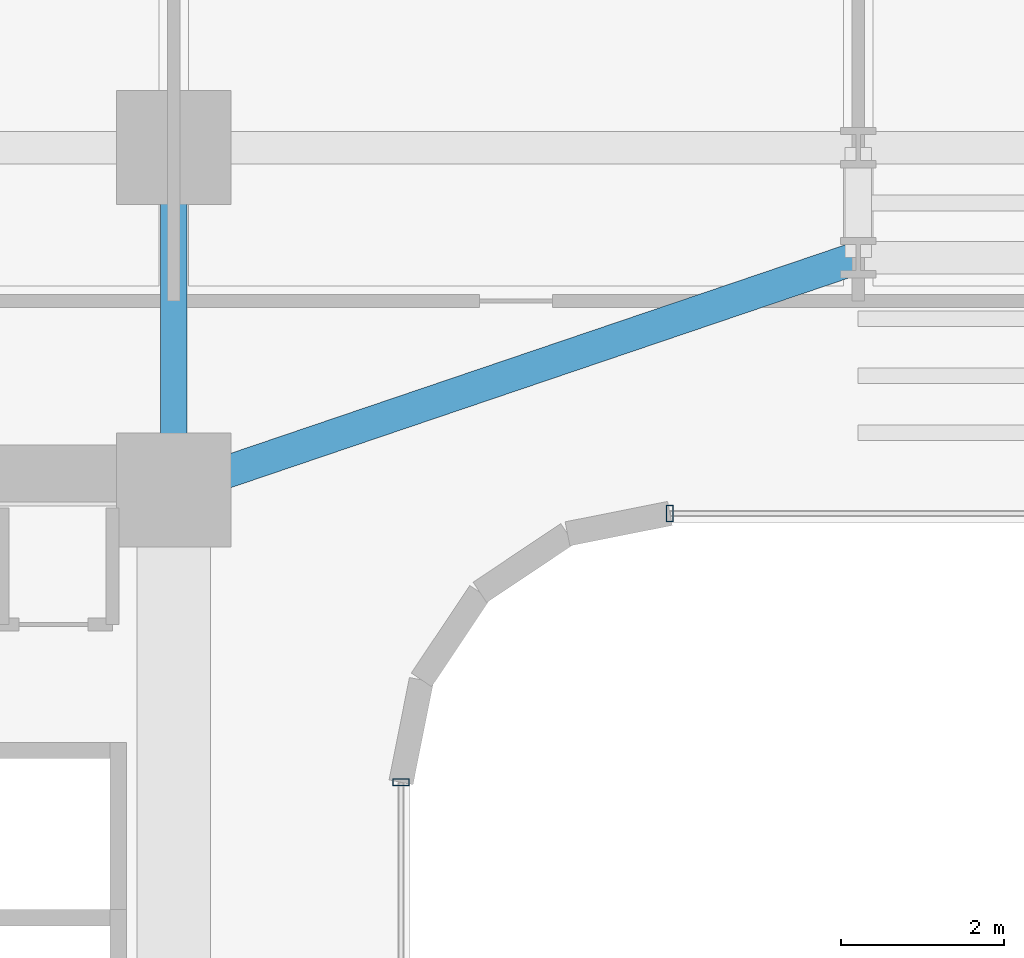
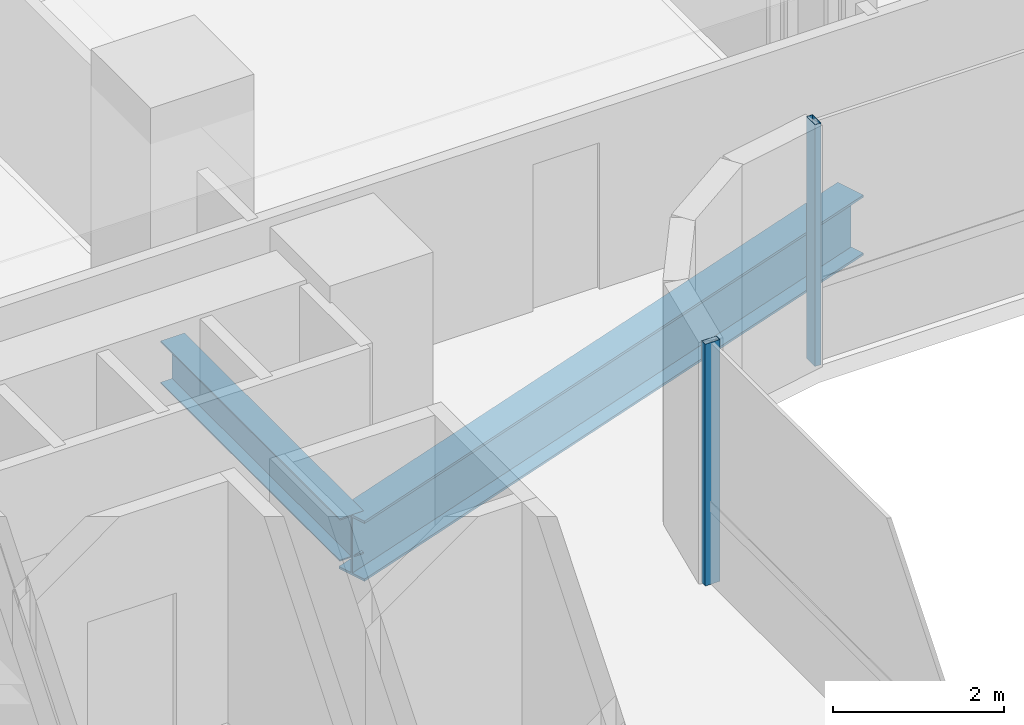
# One storey, part 12 of 39: 2 beams, 2 members, 2 elements without a shape of their own.
"""IFC4 building model written with IfcOpenShell, lengths in metres."""

import ifcopenshell
import ifcopenshell.guid

model = None  # the IFC model being written
_history = None  # IfcOwnerHistory: only IFC2X3 demands one
_inside = {}  # id of a spatial element -> (the spatial element, [elements in it])
_under = {}  # id of a project, library or spatial element -> (it, [spatial elements below it])
_declared = {}  # id of a project -> (the project, [libraries it declares])
_typed = {}  # id of a type object -> (the type object, [elements of that type])
_made_of = {}  # id of a material, layer set ... -> (it, [elements and type objects made of it])


def new_model(schema):
    """Start an empty IFC model of exactly this schema.

    Asked for "IFC4X3", IfcOpenShell would pick the latest addendum, in which some entities
    have other attributes; the version numbers below select the first issue.
    IFC2X3 requires an IfcOwnerHistory on every rooted entity: one is made here for all.
    """
    global model, _history
    if schema == "IFC4X3":
        model = ifcopenshell.file(schema_version=(4, 3, 0, 0))
    else:
        model = ifcopenshell.file(schema=schema)
    _inside.clear()
    _under.clear()
    _declared.clear()
    _typed.clear()
    _made_of.clear()
    _history = None
    if model.schema == "IFC2X3":
        org = make("IfcOrganization", Name="unknown")
        user = make(
            "IfcPersonAndOrganization",
            ThePerson=make("IfcPerson", FamilyName="unknown"),
            TheOrganization=org,
        )
        app = make(
            "IfcApplication",
            ApplicationDeveloper=org,
            Version="unknown",
            ApplicationFullName="unknown",
            ApplicationIdentifier="unknown",
        )
        _history = make(
            "IfcOwnerHistory",
            OwningUser=user,
            OwningApplication=app,
            ChangeAction="ADDED",
            CreationDate=0,
        )
    return model


def make(cls, **values):
    """One entity of the class cls with the attributes given. An attribute that is None is left unset."""
    return model.create_entity(
        cls, **{name: value for name, value in values.items() if value is not None}
    )


def rooted(cls, **values):
    """An entity with a GlobalId (a new one), such as an element, a storey or a relation."""
    return make(cls, GlobalId=ifcopenshell.guid.new(), OwnerHistory=_history, **values)


def si_unit(unit_type, name, prefix=None):
    """IfcSIUnit, for example si_unit("LENGTHUNIT", "METRE", prefix="MILLI")."""
    return make("IfcSIUnit", UnitType=unit_type, Prefix=prefix, Name=name)


def assignment(units):
    """IfcUnitAssignment: the units of a project."""
    return None if units is None else make("IfcUnitAssignment", Units=units)


def point(xyz):
    """IfcCartesianPoint."""
    return None if xyz is None else make("IfcCartesianPoint", Coordinates=xyz)


def direction(xyz):
    """IfcDirection."""
    return None if xyz is None else make("IfcDirection", DirectionRatios=xyz)


def frame(location, z_axis=None, x_axis=None):
    """IfcAxis2Placement3D, a coordinate frame: its origin and axes. An axis left out is left unset."""
    return make(
        "IfcAxis2Placement3D",
        Location=point(location),
        Axis=direction(z_axis),
        RefDirection=direction(x_axis),
    )


def frame_2d(location, x_axis=None):
    """IfcAxis2Placement2D, a coordinate frame in the plane: its origin and x axis."""
    return make(
        "IfcAxis2Placement2D", Location=point(location), RefDirection=direction(x_axis)
    )


def origin():
    """The frame at (0, 0, 0) with its axes left unset."""
    return frame((0.0, 0.0, 0.0))


def origin_2d():
    """The frame at (0, 0) in the plane with its x axis left unset."""
    return frame_2d((0.0, 0.0))


def place(relative_to, where):
    """IfcLocalPlacement: puts the frame where relative to a parent placement (None: the world)."""
    return make(
        "IfcLocalPlacement", PlacementRelTo=relative_to, RelativePlacement=where
    )


def context(
    kind, dimensions, precision=None, world=None, true_north=None, identifier=None
):
    """IfcGeometricRepresentationContext, for example the 3D "Model" context."""
    return make(
        "IfcGeometricRepresentationContext",
        ContextIdentifier=identifier,
        ContextType=kind,
        CoordinateSpaceDimension=dimensions,
        Precision=precision,
        WorldCoordinateSystem=world,
        TrueNorth=true_north,
    )


def subcontext(parent, identifier, kind, view, scale=None):
    """IfcGeometricRepresentationSubContext, for example "Body" below "Model"."""
    return make(
        "IfcGeometricRepresentationSubContext",
        ContextIdentifier=identifier,
        ContextType=kind,
        ParentContext=parent,
        TargetScale=scale,
        TargetView=view,
    )


def project(units=None, contexts=None):
    """IfcProject with its units and contexts."""
    return rooted(
        "IfcProject",
        Name="project",
        RepresentationContexts=contexts,
        UnitsInContext=assignment(units),
    )


def spatial(cls, under=None, at=None, **own):
    """A site, building, storey or space (cls), placed at a placement, below another one or the project."""
    s = rooted(cls, ObjectPlacement=at, **own)
    if under is not None:
        _under.setdefault(under.id(), (under, []))[1].append(s)
    return s


def profile(cls, at=None, kind="AREA", **sizes):
    """A parametric profile (cls). Its sizes go by their IFC names, for example OverallWidth=200.0."""
    return make(cls, ProfileType=kind, Position=at, **sizes)


def hollow_rectangle(**sizes):
    """IfcRectangleHollowProfileDef."""
    return profile("IfcRectangleHollowProfileDef", **sizes)


def i_section(**sizes):
    """IfcIShapeProfileDef."""
    return profile("IfcIShapeProfileDef", **sizes)


def extrude(swept, where, along, depth):
    """IfcExtrudedAreaSolid: the profile swept, set in the frame where, extruded along a direction by depth."""
    return make(
        "IfcExtrudedAreaSolid",
        SweptArea=swept,
        Position=where,
        ExtrudedDirection=direction(along),
        Depth=depth,
    )


def shape(context_of_items, identifier, shape_type, items):
    """IfcShapeRepresentation: the items that make up one representation, for example the "Body"."""
    return make(
        "IfcShapeRepresentation",
        ContextOfItems=context_of_items,
        RepresentationIdentifier=identifier,
        RepresentationType=shape_type,
        Items=items,
    )


def source(mapping_origin, context_of_items, identifier, shape_type, items):
    """IfcRepresentationMap: a shape defined once, which mapped items show again and again."""
    return make(
        "IfcRepresentationMap",
        MappingOrigin=mapping_origin,
        MappedRepresentation=shape(context_of_items, identifier, shape_type, items),
    )


def transform(
    local_origin,
    x_axis=None,
    y_axis=None,
    z_axis=None,
    scale=None,
    scale2=None,
    scale3=None,
    uniform=True,
):
    """IfcCartesianTransformationOperator3D, or its non-uniform kind. x_axis, y_axis, z_axis: its Axis1, 2, 3."""
    if uniform:
        return make(
            "IfcCartesianTransformationOperator3D",
            Axis1=direction(x_axis),
            Axis2=direction(y_axis),
            LocalOrigin=point(local_origin),
            Scale=scale,
            Axis3=direction(z_axis),
        )
    return make(
        "IfcCartesianTransformationOperator3DnonUniform",
        Axis1=direction(x_axis),
        Axis2=direction(y_axis),
        LocalOrigin=point(local_origin),
        Scale=scale,
        Axis3=direction(z_axis),
        Scale2=scale2,
        Scale3=scale3,
    )


def mapped(mapping_source, mapping_target):
    """IfcMappedItem: shows the shape of a source again, moved by a transform."""
    return make(
        "IfcMappedItem", MappingSource=mapping_source, MappingTarget=mapping_target
    )


def material(Name=None, Category=None):
    """IfcMaterial."""
    return make("IfcMaterial", Name=Name, Category=Category)


def material_profile(
    of_material, cross_section, Name=None, Category=None, Priority=None
):
    """IfcMaterialProfile: a cross section and its material."""
    return make(
        "IfcMaterialProfile",
        Name=Name,
        Material=of_material,
        Profile=cross_section,
        Priority=Priority,
        Category=Category,
    )


def profile_set(profiles, Name=None, composite=None):
    """IfcMaterialProfileSet."""
    return make(
        "IfcMaterialProfileSet",
        Name=Name,
        MaterialProfiles=profiles,
        CompositeProfile=composite,
    )


def made_of(thing, what):
    """Note that an element or type object is made of a material, layer set ...; save() writes the relation."""
    if what is not None:
        _made_of.setdefault(what.id(), (what, []))[1].append(thing)
    return thing


def type_object(cls, material=None, **own):
    """A type object (cls), such as IfcWallType, which elements share."""
    return made_of(rooted(cls, **own), material)


def element(
    cls,
    number,
    at=None,
    inside=None,
    cuts=None,
    type_object=None,
    material=None,
    context=None,
    identifier="Body",
    shape_type=None,
    held_by="IfcProductDefinitionShape",
    body=None,
    shapes=None,
    **own,
):
    """One element of the class cls, such as IfcWall. Its Tag is "e" and its number.

    at: its placement. inside: the storey or other place that contains it. cuts: it is an
    opening in that element (IfcRelVoidsElement). A single representation is given by context,
    identifier, shape_type and body (its items); several are given by shapes. held_by: the class
    of the entity that holds the representations. save() writes the other relations.
    """
    e = rooted(cls, Tag="e%d" % number, ObjectPlacement=at, **own)
    if body is not None:
        shapes = [shape(context, identifier, shape_type, body)]
    if shapes is not None:
        e.Representation = make(held_by, Representations=shapes)
    if inside is not None:
        _inside.setdefault(inside.id(), (inside, []))[1].append(e)
    if cuts is not None:
        rooted(
            "IfcRelVoidsElement", RelatingBuildingElement=cuts, RelatedOpeningElement=e
        )
    if type_object is not None:
        _typed.setdefault(type_object.id(), (type_object, []))[1].append(e)
    return made_of(e, material)


def aggregate(whole, parts):
    """IfcRelAggregates: a whole, such as a stair, and the parts it consists of."""
    return rooted("IfcRelAggregates", RelatingObject=whole, RelatedObjects=parts)


def save(model, path):
    """Write the relations noted so far, then the file.

    IfcRelAggregates (storeys below a building ...), IfcRelContainedInSpatialStructure (elements
    in a storey), IfcRelDefinesByType, IfcRelAssociatesMaterial and IfcRelDeclares: one each for
    every whole, place, type object, material and project.
    """
    for whole, parts in _under.values():
        aggregate(whole, parts)
    for where, things in _inside.values():
        rooted(
            "IfcRelContainedInSpatialStructure",
            RelatedElements=things,
            RelatingStructure=where,
        )
    for kind, things in _typed.values():
        rooted("IfcRelDefinesByType", RelatedObjects=things, RelatingType=kind)
    for what, things in _made_of.values():
        rooted("IfcRelAssociatesMaterial", RelatedObjects=things, RelatingMaterial=what)
    for by, libraries in _declared.values():
        rooted("IfcRelDeclares", RelatingContext=by, RelatedDefinitions=libraries)
    model.write(path)


model = new_model("IFC4")

# Units and contexts
model_context = context("Model", 3, precision=1e-05, world=origin(), true_north=direction((0.0, 1.0)))
body_context = subcontext(model_context, "Body", "Model", "MODEL_VIEW")
ifc_project = project(units=[si_unit("LENGTHUNIT", "METRE"), si_unit("AREAUNIT", "SQUARE_METRE"), si_unit("VOLUMEUNIT", "CUBIC_METRE"), si_unit("PLANEANGLEUNIT", "RADIAN"), si_unit("MASSUNIT", "GRAM", prefix="KILO")], contexts=[model_context])

# Site, building, storey
site_placement = place(None, origin())
site = spatial("IfcSite", under=ifc_project, at=site_placement, CompositionType="ELEMENT")
building_placement = place(site_placement, origin())
building = spatial("IfcBuilding", under=site, at=building_placement, Name="Valdorenza Pilgrim Sanctuary Tower", CompositionType="ELEMENT")
storey_placement = place(building_placement, frame((0.0, 0.0, 33.39990234375)))
storey = spatial("IfcBuildingStorey", under=building, at=storey_placement, Name="L07", CompositionType="ELEMENT", Elevation=33.39990234375)

# Beams
ifc_material_1 = material(Name="Steel ASTM A992 Grade 50", Category="steel")
ifc_material_profile_1 = material_profile(ifc_material_1, i_section(OverallWidth=0.323974609375, OverallDepth=0.611083984375, WebThickness=0.0126953125, FlangeThickness=0.01904296875, at=origin_2d()), Name="W24X104")
ifc_profile_set_1 = profile_set([ifc_material_profile_1], Name="Steel ASTM A992 Grade 50")
beam_type_1 = type_object("IfcBeamType", Name="STR-BM-GRD-W24B", PredefinedType="BEAM", material=ifc_profile_set_1)
shared_shape_1 = source(origin(), body_context, "Body", "SweptSolid", [
    extrude(i_section(OverallWidth=0.323974609375, OverallDepth=0.611083984375, WebThickness=0.0126953125, FlangeThickness=0.01904296875, at=origin_2d()), origin(), (0.0, 0.0, 1.0), 4.199951171875),
])
beam_1_placement = place(storey_placement, frame((-12.39990234375, 10.60009765625, -0.54541015625), z_axis=(0.0, 1.0, 0.0), x_axis=(-1.0, 0.0, 0.0)))
element("IfcBeam", 1, at=beam_1_placement, inside=storey, type_object=beam_type_1, Name="L07 Core Tie Girder CA-E-N1N2", PredefinedType="BEAM", context=body_context, shape_type="MappedRepresentation", body=[
    mapped(shared_shape_1, transform((0.0, 0.0, 0.0), x_axis=(1.0, 0.0, 0.0), y_axis=(0.0, 1.0, 0.0), z_axis=(0.0, 0.0, 1.0), scale=1.0)),
])
ifc_material_profile_2 = material_profile(ifc_material_1, i_section(OverallWidth=0.39990234375, OverallDepth=0.862060546875, WebThickness=0.019775390625, FlangeThickness=0.032470703125, at=origin_2d()), Name="W33X221")
ifc_profile_set_2 = profile_set([ifc_material_profile_2], Name="Steel ASTM A992 Grade 50")
beam_type_2 = type_object("IfcBeamType", Name="STR-BM-GRD-W33", PredefinedType="BEAM", material=ifc_profile_set_2)
shared_shape_2 = source(origin(), body_context, "Body", "SweptSolid", [
    extrude(i_section(OverallWidth=0.39990234375, OverallDepth=0.862060546875, WebThickness=0.019775390625, FlangeThickness=0.032470703125, at=origin_2d()), origin(), (0.0, 0.0, 1.0), 8.8701171875),
])
beam_2_placement = place(storey_placement, frame((-12.39990234375, 10.60009765625, -0.6708984375), z_axis=(0.946982588361, 0.321284885018, 0.0), x_axis=(-0.321284885018, 0.946982588361, 0.0)))
element("IfcBeam", 2, at=beam_2_placement, inside=storey, type_object=beam_type_2, Name="L07 Floor Girder KNK-G1", PredefinedType="BEAM", context=body_context, shape_type="MappedRepresentation", body=[
    mapped(shared_shape_2, transform((0.0, 0.0, 0.0), x_axis=(1.0, 0.0, 0.0), y_axis=(0.0, 1.0, 0.0), z_axis=(0.0, 0.0, 1.0), scale=1.0)),
])

# Curtain wall, member
ifc_material_2 = material(Name="Curtain-wall IGU glazing", Category="glass")
curtain_wall_type = type_object("IfcCurtainWallType", Name="CW-SYS-02", PredefinedType="NOTDEFINED", material=ifc_material_2)
curtain_wall_1_placement = place(storey_placement, origin())
curtain_wall_1 = element("IfcCurtainWall", 3, at=curtain_wall_1_placement, inside=storey, type_object=curtain_wall_type, Name="L07 Curtain Wall CW-L07-1-36", PredefinedType="NOTDEFINED")
ifc_material_3 = material(Name="Anodised aluminium AW-6060", Category="aluminium")
ifc_material_profile_3 = material_profile(ifc_material_3, hollow_rectangle(XDim=0.0849609375, YDim=0.199951171875, WallThickness=0.0048828125, at=origin_2d()), Name="ALU-M 200x85x5")
ifc_profile_set_3 = profile_set([ifc_material_profile_3], Name="Anodised aluminium AW-6060")
member_type = type_object("IfcMemberType", Name="CW-MUL-02", PredefinedType="MULLION", material=ifc_profile_set_3)
shared_shape_3 = source(origin(), body_context, "Body", "SweptSolid", [
    extrude(hollow_rectangle(XDim=0.0849609375, YDim=0.199951171875, WallThickness=0.0048828125, at=origin_2d()), origin(), (0.0, 0.0, 1.0), 3.460205078125),
])
member_1_placement = place(storey_placement, frame((-6.310791015625, 10.31005859375, 0.0), z_axis=(0.0, 0.0, 1.0), x_axis=(-1.0, 0.0, 0.0)))
member_1 = element("IfcMember", 4, at=member_1_placement, type_object=member_type, Name="CW-L07-1-36 Mullion 4", PredefinedType="MULLION", context=body_context, shape_type="MappedRepresentation", body=[
    mapped(shared_shape_3, transform((0.0, 0.0, 0.0), x_axis=(1.0, 0.0, 0.0), y_axis=(0.0, 1.0, 0.0), z_axis=(0.0, 0.0, 1.0), scale=1.0)),
])
aggregate(curtain_wall_1, [member_1])

curtain_wall_2_placement = place(storey_placement, origin())
curtain_wall_2 = element("IfcCurtainWall", 5, at=curtain_wall_2_placement, inside=storey, type_object=curtain_wall_type, Name="L07 Curtain Wall CW-L07-1-41", PredefinedType="NOTDEFINED")
member_2_placement = place(storey_placement, frame((-9.610107421875, 7.0107421875, 0.0), z_axis=(0.0, 0.0, 1.0), x_axis=(0.0, -1.0, 0.0)))
member_2 = element("IfcMember", 6, at=member_2_placement, type_object=member_type, Name="CW-L07-1-41 Mullion 1", PredefinedType="MULLION", context=body_context, shape_type="MappedRepresentation", body=[
    mapped(shared_shape_3, transform((0.0, 0.0, 0.0), x_axis=(1.0, 0.0, 0.0), y_axis=(0.0, 1.0, 0.0), z_axis=(0.0, 0.0, 1.0), scale=1.0)),
])
aggregate(curtain_wall_2, [member_2])

save(model, "model.ifc")
